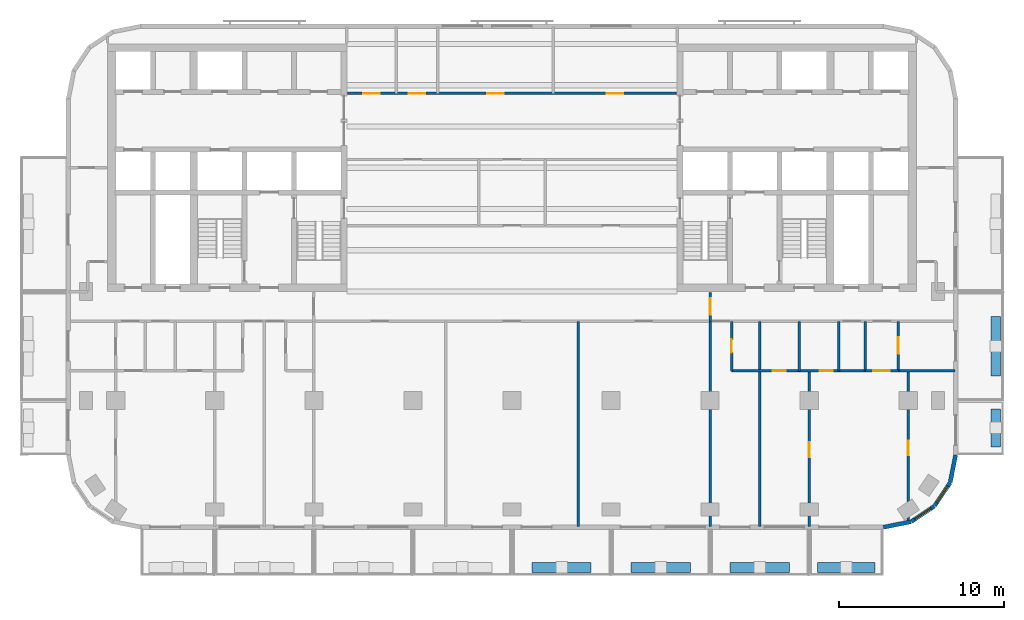
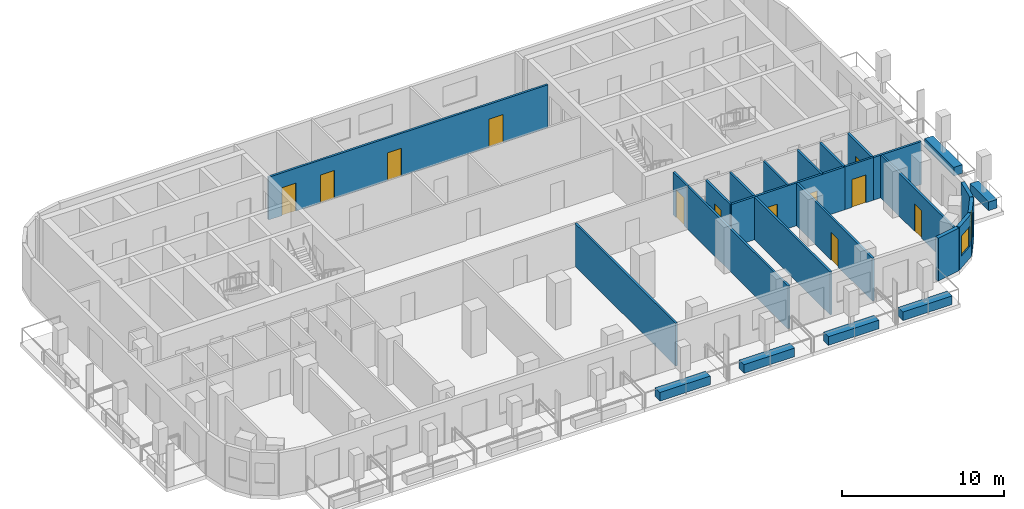
# One storey, part 5 of 11: 25 walls, 12 doors, 2 windows, 14 openings.
"""IFC4 building model written with IfcOpenShell, lengths in metres."""

from ifc_helpers import new_model, si_unit, direction, frame, frame_2d, origin, place, context, subcontext, project, spatial, rectangle, extrude, material, layer, layer_set, type_object, element, fill, save


model = new_model("IFC4")

# Units and contexts
model_context = context("Model", 3, precision=1e-05, world=origin(), true_north=direction((0.0, 1.0)))
body_context = subcontext(model_context, "Body", "Model", "MODEL_VIEW")
ifc_project = project(units=[si_unit("LENGTHUNIT", "METRE"), si_unit("AREAUNIT", "SQUARE_METRE"), si_unit("VOLUMEUNIT", "CUBIC_METRE"), si_unit("PLANEANGLEUNIT", "RADIAN"), si_unit("MASSUNIT", "GRAM", prefix="KILO")], contexts=[model_context])

# Site, building, storey
site_placement = place(None, origin())
site = spatial("IfcSite", under=ifc_project, at=site_placement, CompositionType="ELEMENT")
building_placement = place(site_placement, origin())
building = spatial("IfcBuilding", under=site, at=building_placement, Name="Torana Hotel and Residences", CompositionType="ELEMENT")
storey_placement = place(building_placement, frame((0.0, 0.0, 187.10009765625)))
storey = spatial("IfcBuildingStorey", under=building, at=storey_placement, Name="L48", CompositionType="ELEMENT", Elevation=187.10009765625)

# Wall
ifc_material_1 = material(Name="Black aluminium composite panel", Category="aluminium")
ifc_layer_1 = layer(ifc_material_1, 0.00390625, Name="Cladding", Category="cladding")
ifc_material_2 = material(Name="Ventilated air cavity")
ifc_layer_2 = layer(ifc_material_2, 0.0400390625, Name="Ventilated cavity", Category="cavity")
ifc_material_3 = material(Name="Mineral wool insulation")
ifc_layer_3 = layer(ifc_material_3, 0.090087890625, Name="Insulation", Category="insulation")
ifc_material_4 = material(Name="Steel S280GD", Category="steel")
ifc_layer_4 = layer(ifc_material_4, 0.092041015625, Name="Steel stud frame", Category="structure")
ifc_material_5 = material(Name="Fire rated plasterboard")
ifc_layer_5 = layer(ifc_material_5, 0.011962890625, Name="Inner board", Category="finish")
ifc_layer_6 = layer(ifc_material_5, 0.011962890625, Name="Second board", Category="finish")
ifc_layer_set_1 = layer_set([ifc_layer_1, ifc_layer_2, ifc_layer_3, ifc_layer_4, ifc_layer_5, ifc_layer_6], Name="EW1 EXTERNAL WALL BLACK METAL CLAD 250")
wall_type_1 = type_object("IfcWallType", Name="EW1 EXTERNAL WALL BLACK METAL CLAD 250", PredefinedType="SOLIDWALL", material=ifc_layer_set_1)
wall_1_placement = place(storey_placement, frame((22.499755859375, -29.272705078125, 0.0), z_axis=(0.0, 0.0, 1.0), x_axis=(0.980775640221, 0.19513878023, 0.0)))
element("IfcWall", 1, at=wall_1_placement, inside=storey, type_object=wall_type_1, Name="External wall L48 e0.15", PredefinedType="SOLIDWALL", context=body_context, shape_type="SweptSolid", body=[
    extrude(rectangle(XDim=1.681396484375, YDim=0.25, at=frame_2d((0.8408203125, 0.0))), origin(), (0.0, 0.0, 1.0), 3.219970703125),
])

# Wall, opening, window
wall_2_placement = place(storey_placement, frame((24.194091796875, -28.92578125, 0.0), z_axis=(0.0, 0.0, 1.0), x_axis=(0.831482937015, 0.55555029066, 0.0)))
wall_2 = element("IfcWall", 2, at=wall_2_placement, inside=storey, type_object=wall_type_1, Name="External wall L48 e0.16", PredefinedType="SOLIDWALL", context=body_context, shape_type="SweptSolid", body=[
    extrude(rectangle(XDim=1.65625, YDim=0.25, at=frame_2d((0.828125, 0.0))), origin(), (0.0, 0.0, 1.0), 3.219970703125),
])
opening_1_placement = place(wall_2_placement, frame((0.228271484375, 0.0, 0.89990234375)))
opening_1 = element("IfcOpeningElement", 3, at=opening_1_placement, cuts=wall_2, Name="Opening W5", PredefinedType="OPENING", context=body_context, shape_type="SweptSolid", body=[
    extrude(rectangle(XDim=1.199951171875, YDim=1.5, at=frame_2d((0.60009765625, 0.75))), frame((0.0, 0.135009765625, 0.0), z_axis=(0.0, -1.0, 0.0), x_axis=(1.0, 0.0, 0.0)), (0.0, 0.0, 1.0), 0.27001953125),
])
ifc_material_6 = material(Name="Dark glass in black aluminium frame", Category="aluminium")
window_type = type_object("IfcWindowType", Name="W5 CORNER FACET WINDOW 1200x1500", PartitioningType="SINGLE_PANEL", PredefinedType="WINDOW", material=ifc_material_6)
window_1_placement = place(opening_1_placement, origin())
window_1 = element("IfcWindow", 4, at=window_1_placement, inside=storey, type_object=window_type, Name="Window L48 e0.16", OverallHeight=1.5, OverallWidth=1.199951171875, PartitioningType="SINGLE_PANEL", PredefinedType="WINDOW", context=body_context, shape_type="SweptSolid", body=[
    extrude(rectangle(XDim=1.199951171875, YDim=1.5, at=frame_2d((0.60009765625, 0.75))), frame((0.0, 0.030029296875, 0.0), z_axis=(0.0, -1.0, 0.0), x_axis=(1.0, 0.0, 0.0)), (0.0, 0.0, 1.0), 0.06005859375),
])
fill(opening_1, window_1)

wall_3_placement = place(storey_placement, frame((25.605712890625, -27.97119140625, 0.0), z_axis=(0.0, 0.0, 1.0), x_axis=(0.55555029066, 0.831482937015, 0.0)))
wall_3 = element("IfcWall", 5, at=wall_3_placement, inside=storey, type_object=wall_type_1, Name="External wall L48 e0.17", PredefinedType="SOLIDWALL", context=body_context, shape_type="SweptSolid", body=[
    extrude(rectangle(XDim=1.65625, YDim=0.25, at=frame_2d((0.828125, 0.0))), origin(), (0.0, 0.0, 1.0), 3.219970703125),
])
opening_2_placement = place(wall_3_placement, frame((0.228271484375, 0.0, 0.89990234375)))
opening_2 = element("IfcOpeningElement", 6, at=opening_2_placement, cuts=wall_3, Name="Opening W5", PredefinedType="OPENING", context=body_context, shape_type="SweptSolid", body=[
    extrude(rectangle(XDim=1.199951171875, YDim=1.5, at=frame_2d((0.60009765625, 0.75))), frame((0.0, 0.135009765625, 0.0), z_axis=(0.0, -1.0, 0.0), x_axis=(1.0, 0.0, 0.0)), (0.0, 0.0, 1.0), 0.27001953125),
])
window_2_placement = place(opening_2_placement, origin())
window_2 = element("IfcWindow", 7, at=window_2_placement, inside=storey, type_object=window_type, Name="Window L48 e0.17", OverallHeight=1.5, OverallWidth=1.199951171875, PartitioningType="SINGLE_PANEL", PredefinedType="WINDOW", context=body_context, shape_type="SweptSolid", body=[
    extrude(rectangle(XDim=1.199951171875, YDim=1.5, at=frame_2d((0.60009765625, 0.75))), frame((0.0, 0.030029296875, 0.0), z_axis=(0.0, -1.0, 0.0), x_axis=(1.0, 0.0, 0.0)), (0.0, 0.0, 1.0), 0.06005859375),
])
fill(opening_2, window_2)

# Wall
wall_4_placement = place(storey_placement, frame((26.544677734375, -26.548828125, 0.0), z_axis=(0.0, 0.0, 1.0), x_axis=(0.195026884138, 0.980797896849, 0.0)))
element("IfcWall", 8, at=wall_4_placement, inside=storey, type_object=wall_type_1, Name="External wall L48 e0.18", PredefinedType="SOLIDWALL", context=body_context, shape_type="SweptSolid", body=[
    extrude(rectangle(XDim=1.68115234375, YDim=0.25, at=frame_2d((0.840576171875, 0.0))), origin(), (0.0, 0.0, 1.0), 3.219970703125),
])

# Wall, opening, door
ifc_material_7 = material(Name="Gypsum plaster")
ifc_layer_7 = layer(ifc_material_7, 0.014892578125, Name="Plaster", Category="finish")
ifc_material_8 = material(Name="Concrete blockwork", Category="masonry")
ifc_layer_8 = layer(ifc_material_8, 0.1201171875, Name="Blockwork", Category="structure")
ifc_layer_9 = layer(ifc_material_7, 0.014892578125, Name="Plaster", Category="finish")
ifc_layer_set_2 = layer_set([ifc_layer_7, ifc_layer_8, ifc_layer_9], Name="FIRE PARTITION 150 BLOCKWORK")
wall_type_2 = type_object("IfcWallType", Name="FIRE PARTITION 150 BLOCKWORK", PredefinedType="PARTITIONING", material=ifc_layer_set_2)
wall_5_placement = place(storey_placement, frame((23.39990234375, -19.800048828125, 0.0), z_axis=(0.0, 0.0, 1.0), x_axis=(0.0, 1.0, 0.0)))
wall_5 = element("IfcWall", 9, at=wall_5_placement, inside=storey, type_object=wall_type_2, Name="Partition L48", PredefinedType="PARTITIONING", context=body_context, shape_type="SweptSolid", body=[
    extrude(rectangle(XDim=3.0, YDim=0.14990234375, at=frame_2d((1.5, 0.0))), origin(), (0.0, 0.0, 1.0), 3.219970703125),
])
opening_3_placement = place(wall_5_placement, frame((1.02001953125, 0.0, 0.0)))
opening_3 = element("IfcOpeningElement", 10, at=opening_3_placement, cuts=wall_5, Name="Opening L48-58", PredefinedType="OPENING", context=body_context, shape_type="SweptSolid", body=[
    extrude(rectangle(XDim=1.0, YDim=2.10009765625, at=frame_2d((0.5, 1.050048828125))), frame((0.0, 0.0849609375, 0.0), z_axis=(0.0, -1.0, 0.0), x_axis=(1.0, 0.0, 0.0)), (0.0, 0.0, 1.0), 0.169921875),
])
ifc_material_9 = material(Name="Steel S235", Category="steel")
door_type_1 = type_object("IfcDoorType", Name="ENTRY FIRE DOOR D6 1000x2100", OperationType="SINGLE_SWING_LEFT", PredefinedType="DOOR", material=ifc_material_9)
door_1_placement = place(opening_3_placement, frame((0.5, 0.0, 0.0), z_axis=(0.0, 0.0, 1.0), x_axis=(-1.0, 0.0, 0.0)))
door_1 = element("IfcDoor", 11, at=door_1_placement, inside=storey, type_object=door_type_1, Name="Door L48", OperationType="SINGLE_SWING_LEFT", OverallHeight=2.10009765625, OverallWidth=1.0, PredefinedType="DOOR", context=body_context, shape_type="SweptSolid", body=[
    extrude(rectangle(XDim=1.0, YDim=2.10009765625, at=frame_2d((0.0, 1.050048828125))), frame((0.0, -0.02490234375, 0.0), z_axis=(0.0, 1.0, 0.0), x_axis=(-1.0, 0.0, 0.0)), (0.0, 0.0, 1.0), 0.050048828125),
])
fill(opening_3, door_1)

# Wall
wall_6_placement = place(storey_placement, frame((21.39990234375, -19.800048828125, 0.0), z_axis=(0.0, 0.0, 1.0), x_axis=(0.0, 1.0, 0.0)))
element("IfcWall", 12, at=wall_6_placement, inside=storey, type_object=wall_type_2, Name="Partition L48", PredefinedType="PARTITIONING", context=body_context, shape_type="SweptSolid", body=[
    extrude(rectangle(XDim=3.0, YDim=0.14990234375, at=frame_2d((1.5, 0.0))), origin(), (0.0, 0.0, 1.0), 3.219970703125),
])

# Wall, opening, door
wall_7_placement = place(storey_placement, frame((12.0, -16.800048828125, 0.0), z_axis=(0.0, 0.0, 1.0), x_axis=(0.0, 1.0, 0.0)))
wall_7 = element("IfcWall", 13, at=wall_7_placement, inside=storey, type_object=wall_type_2, Name="Partition L48", PredefinedType="PARTITIONING", context=body_context, shape_type="SweptSolid", body=[
    extrude(rectangle(XDim=1.75, YDim=0.14990234375, at=frame_2d((0.875, 0.0))), origin(), (0.0, 0.0, 1.0), 3.219970703125),
])
opening_4_placement = place(wall_7_placement, frame((0.39990234375, 0.0, 0.0)))
opening_4 = element("IfcOpeningElement", 14, at=opening_4_placement, cuts=wall_7, Name="Opening L48-33", PredefinedType="OPENING", context=body_context, shape_type="SweptSolid", body=[
    extrude(rectangle(XDim=1.0, YDim=2.10009765625, at=frame_2d((0.5, 1.050048828125))), frame((0.0, 0.0849609375, 0.0), z_axis=(0.0, -1.0, 0.0), x_axis=(1.0, 0.0, 0.0)), (0.0, 0.0, 1.0), 0.169921875),
])
door_2_placement = place(opening_4_placement, origin())
door_2 = element("IfcDoor", 15, at=door_2_placement, inside=storey, type_object=door_type_1, Name="Door L48", OperationType="SINGLE_SWING_RIGHT", OverallHeight=2.10009765625, OverallWidth=1.0, PredefinedType="DOOR", context=body_context, shape_type="SweptSolid", body=[
    extrude(rectangle(XDim=1.0, YDim=2.10009765625, at=frame_2d((0.5, 1.050048828125))), frame((0.0, 0.02490234375, 0.0), z_axis=(0.0, -1.0, 0.0), x_axis=(1.0, 0.0, 0.0)), (0.0, 0.0, 1.0), 0.050048828125),
])
fill(opening_4, door_2)

wall_8_placement = place(storey_placement, frame((21.39990234375, -19.800048828125, 0.0), z_axis=(0.0, 0.0, 1.0), x_axis=(1.0, 0.0, 0.0)))
wall_8 = element("IfcWall", 16, at=wall_8_placement, inside=storey, type_object=wall_type_2, Name="Partition L48", PredefinedType="PARTITIONING", context=body_context, shape_type="SweptSolid", body=[
    extrude(rectangle(XDim=2.0, YDim=0.14990234375, at=frame_2d((1.0, 0.0))), origin(), (0.0, 0.0, 1.0), 3.219970703125),
])
opening_5_placement = place(wall_8_placement, frame((0.47998046875, 0.0, 0.0)))
opening_5 = element("IfcOpeningElement", 17, at=opening_5_placement, cuts=wall_8, Name="Opening L48-59", PredefinedType="OPENING", context=body_context, shape_type="SweptSolid", body=[
    extrude(rectangle(XDim=1.0, YDim=2.10009765625, at=frame_2d((0.5, 1.050048828125))), frame((0.0, 0.0849609375, 0.0), z_axis=(0.0, -1.0, 0.0), x_axis=(1.0, 0.0, 0.0)), (0.0, 0.0, 1.0), 0.169921875),
])
door_3_placement = place(opening_5_placement, frame((0.5, 0.0, 0.0), z_axis=(0.0, 0.0, 1.0), x_axis=(-1.0, 0.0, 0.0)))
door_3 = element("IfcDoor", 18, at=door_3_placement, inside=storey, type_object=door_type_1, Name="Door L48", OperationType="SINGLE_SWING_RIGHT", OverallHeight=2.10009765625, OverallWidth=1.0, PredefinedType="DOOR", context=body_context, shape_type="SweptSolid", body=[
    extrude(rectangle(XDim=1.0, YDim=2.10009765625, at=frame_2d((0.0, 1.050048828125))), frame((0.0, -0.02490234375, 0.0), z_axis=(0.0, 1.0, 0.0), x_axis=(-1.0, 0.0, 0.0)), (0.0, 0.0, 1.0), 0.050048828125),
])
fill(opening_5, door_3)

# Wall, openings, doors
wall_9_placement = place(storey_placement, frame((-9.949951171875, -3.0, 0.0), z_axis=(0.0, 0.0, 1.0), x_axis=(1.0, 0.0, 0.0)))
wall_9 = element("IfcWall", 19, at=wall_9_placement, inside=storey, type_object=wall_type_2, Name="Partition L48", PredefinedType="PARTITIONING", context=body_context, shape_type="SweptSolid", body=[
    extrude(rectangle(XDim=19.89990234375, YDim=0.14990234375, at=frame_2d((9.949951171875, 0.0))), origin(), (0.0, 0.0, 1.0), 3.219970703125),
])
opening_6_placement = place(wall_9_placement, frame((0.949951171875, 0.0, 0.0)))
opening_6 = element("IfcOpeningElement", 20, at=opening_6_placement, cuts=wall_9, Name="Opening L48-45", PredefinedType="OPENING", context=body_context, shape_type="SweptSolid", body=[
    extrude(rectangle(XDim=1.0, YDim=2.10009765625, at=frame_2d((0.5, 1.050048828125))), frame((0.0, 0.0849609375, 0.0), z_axis=(0.0, -1.0, 0.0), x_axis=(1.0, 0.0, 0.0)), (0.0, 0.0, 1.0), 0.169921875),
])
opening_7_placement = place(wall_9_placement, frame((3.699951171875, 0.0, 0.0)))
opening_7 = element("IfcOpeningElement", 21, at=opening_7_placement, cuts=wall_9, Name="Opening L48-46", PredefinedType="OPENING", context=body_context, shape_type="SweptSolid", body=[
    extrude(rectangle(XDim=1.0, YDim=2.10009765625, at=frame_2d((0.5, 1.050048828125))), frame((0.0, 0.0849609375, 0.0), z_axis=(0.0, -1.0, 0.0), x_axis=(1.0, 0.0, 0.0)), (0.0, 0.0, 1.0), 0.169921875),
])
opening_8_placement = place(wall_9_placement, frame((8.449951171875, 0.0, 0.0)))
opening_8 = element("IfcOpeningElement", 22, at=opening_8_placement, cuts=wall_9, Name="Opening L48-47", PredefinedType="OPENING", context=body_context, shape_type="SweptSolid", body=[
    extrude(rectangle(XDim=1.0, YDim=2.10009765625, at=frame_2d((0.5, 1.050048828125))), frame((0.0, 0.0849609375, 0.0), z_axis=(0.0, -1.0, 0.0), x_axis=(1.0, 0.0, 0.0)), (0.0, 0.0, 1.0), 0.169921875),
])
opening_9_placement = place(wall_9_placement, frame((15.699951171875, 0.0, 0.0)))
opening_9 = element("IfcOpeningElement", 23, at=opening_9_placement, cuts=wall_9, Name="Opening L48-48", PredefinedType="OPENING", context=body_context, shape_type="SweptSolid", body=[
    extrude(rectangle(XDim=1.0, YDim=2.10009765625, at=frame_2d((0.5, 1.050048828125))), frame((0.0, 0.0849609375, 0.0), z_axis=(0.0, -1.0, 0.0), x_axis=(1.0, 0.0, 0.0)), (0.0, 0.0, 1.0), 0.169921875),
])
door_4_placement = place(opening_6_placement, origin())
door_4 = element("IfcDoor", 24, at=door_4_placement, inside=storey, type_object=door_type_1, Name="Door L48", OperationType="SINGLE_SWING_RIGHT", OverallHeight=2.10009765625, OverallWidth=1.0, PredefinedType="DOOR", context=body_context, shape_type="SweptSolid", body=[
    extrude(rectangle(XDim=1.0, YDim=2.10009765625, at=frame_2d((0.5, 1.050048828125))), frame((0.0, 0.02490234375, 0.0), z_axis=(0.0, -1.0, 0.0), x_axis=(1.0, 0.0, 0.0)), (0.0, 0.0, 1.0), 0.050048828125),
])
fill(opening_6, door_4)
door_5_placement = place(opening_7_placement, origin())
door_5 = element("IfcDoor", 25, at=door_5_placement, inside=storey, type_object=door_type_1, Name="Door L48", OperationType="SINGLE_SWING_RIGHT", OverallHeight=2.10009765625, OverallWidth=1.0, PredefinedType="DOOR", context=body_context, shape_type="SweptSolid", body=[
    extrude(rectangle(XDim=1.0, YDim=2.10009765625, at=frame_2d((0.5, 1.050048828125))), frame((0.0, 0.02490234375, 0.0), z_axis=(0.0, -1.0, 0.0), x_axis=(1.0, 0.0, 0.0)), (0.0, 0.0, 1.0), 0.050048828125),
])
fill(opening_7, door_5)
door_6_placement = place(opening_8_placement, origin())
door_6 = element("IfcDoor", 26, at=door_6_placement, inside=storey, type_object=door_type_1, Name="Door L48", OperationType="SINGLE_SWING_RIGHT", OverallHeight=2.10009765625, OverallWidth=1.0, PredefinedType="DOOR", context=body_context, shape_type="SweptSolid", body=[
    extrude(rectangle(XDim=1.0, YDim=2.10009765625, at=frame_2d((0.5, 1.050048828125))), frame((0.0, 0.02490234375, 0.0), z_axis=(0.0, -1.0, 0.0), x_axis=(1.0, 0.0, 0.0)), (0.0, 0.0, 1.0), 0.050048828125),
])
fill(opening_8, door_6)
door_7_placement = place(opening_9_placement, origin())
door_7 = element("IfcDoor", 27, at=door_7_placement, inside=storey, type_object=door_type_1, Name="Door L48", OperationType="SINGLE_SWING_RIGHT", OverallHeight=2.10009765625, OverallWidth=1.0, PredefinedType="DOOR", context=body_context, shape_type="SweptSolid", body=[
    extrude(rectangle(XDim=1.0, YDim=2.10009765625, at=frame_2d((0.5, 1.050048828125))), frame((0.0, 0.02490234375, 0.0), z_axis=(0.0, -1.0, 0.0), x_axis=(1.0, 0.0, 0.0)), (0.0, 0.0, 1.0), 0.050048828125),
])
fill(opening_9, door_7)

# Wall, opening, door
ifc_material_10 = material(Name="Gypsum plasterboard")
ifc_layer_10 = layer(ifc_material_10, 0.012451171875, Name="Plasterboard", Category="finish")
ifc_layer_11 = layer(ifc_material_10, 0.012451171875, Name="Plasterboard", Category="finish")
ifc_layer_12 = layer(ifc_material_4, 0.10009765625, Name="Steel studs with mineral wool", Category="insulation")
ifc_layer_13 = layer(ifc_material_10, 0.012451171875, Name="Plasterboard", Category="finish")
ifc_layer_14 = layer(ifc_material_10, 0.012451171875, Name="Plasterboard", Category="finish")
ifc_layer_set_3 = layer_set([ifc_layer_10, ifc_layer_11, ifc_layer_12, ifc_layer_13, ifc_layer_14], Name="PARTITION 150 PLASTERBOARD")
wall_type_3 = type_object("IfcWallType", Name="PARTITION 150 PLASTERBOARD", PredefinedType="PARTITIONING", material=ifc_layer_set_3)
wall_10_placement = place(storey_placement, frame((24.0, -28.918212890625, 0.0), z_axis=(0.0, 0.0, 1.0), x_axis=(0.0, 1.0, 0.0)))
wall_10 = element("IfcWall", 28, at=wall_10_placement, inside=storey, type_object=wall_type_3, Name="Partition L48", PredefinedType="PARTITIONING", context=body_context, shape_type="SweptSolid", body=[
    extrude(rectangle(XDim=9.1181640625, YDim=0.14990234375, at=frame_2d((4.55908203125, 0.0))), origin(), (0.0, 0.0, 1.0), 3.219970703125),
])
opening_10_placement = place(wall_10_placement, frame((3.998046875, 0.0, 0.0)))
opening_10 = element("IfcOpeningElement", 29, at=opening_10_placement, cuts=wall_10, Name="Opening L48-61", PredefinedType="OPENING", context=body_context, shape_type="SweptSolid", body=[
    extrude(rectangle(XDim=0.89990234375, YDim=2.10009765625, at=frame_2d((0.449951171875, 1.050048828125))), frame((0.0, 0.0849609375, 0.0), z_axis=(0.0, -1.0, 0.0), x_axis=(1.0, 0.0, 0.0)), (0.0, 0.0, 1.0), 0.169921875),
])
ifc_material_11 = material(Name="Timber door, oiled ash", Category="wood")
door_type_2 = type_object("IfcDoorType", Name="ROOM DOOR D7 900x2100", OperationType="SINGLE_SWING_LEFT", PredefinedType="DOOR", material=ifc_material_11)
door_8_placement = place(opening_10_placement, origin())
door_8 = element("IfcDoor", 30, at=door_8_placement, inside=storey, type_object=door_type_2, Name="Door L48", OperationType="SINGLE_SWING_RIGHT", OverallHeight=2.10009765625, OverallWidth=0.89990234375, PredefinedType="DOOR", context=body_context, shape_type="SweptSolid", body=[
    extrude(rectangle(XDim=0.89990234375, YDim=2.10009765625, at=frame_2d((0.449951171875, 1.050048828125))), frame((0.0, 0.02490234375, 0.0), z_axis=(0.0, -1.0, 0.0), x_axis=(1.0, 0.0, 0.0)), (0.0, 0.0, 1.0), 0.050048828125),
])
fill(opening_10, door_8)

# Wall
wall_11_placement = place(storey_placement, frame((19.800048828125, -19.800048828125, 0.0), z_axis=(0.0, 0.0, 1.0), x_axis=(0.0, 1.0, 0.0)))
element("IfcWall", 31, at=wall_11_placement, inside=storey, type_object=wall_type_3, Name="Partition L48", PredefinedType="PARTITIONING", context=body_context, shape_type="SweptSolid", body=[
    extrude(rectangle(XDim=3.0, YDim=0.14990234375, at=frame_2d((1.5, 0.0))), origin(), (0.0, 0.0, 1.0), 3.219970703125),
])

# Wall, opening, door
wall_12_placement = place(storey_placement, frame((18.0, -29.219970703125, 0.0), z_axis=(0.0, 0.0, 1.0), x_axis=(0.0, 1.0, 0.0)))
wall_12 = element("IfcWall", 32, at=wall_12_placement, inside=storey, type_object=wall_type_3, Name="Partition L48", PredefinedType="PARTITIONING", context=body_context, shape_type="SweptSolid", body=[
    extrude(rectangle(XDim=9.419921875, YDim=0.14990234375, at=frame_2d((4.7099609375, 0.0))), origin(), (0.0, 0.0, 1.0), 3.219970703125),
])
opening_11_placement = place(wall_12_placement, frame((4.18994140625, 0.0, 0.0)))
opening_11 = element("IfcOpeningElement", 33, at=opening_11_placement, cuts=wall_12, Name="Opening L48-60", PredefinedType="OPENING", context=body_context, shape_type="SweptSolid", body=[
    extrude(rectangle(XDim=0.89990234375, YDim=2.10009765625, at=frame_2d((0.449951171875, 1.050048828125))), frame((0.0, 0.0849609375, 0.0), z_axis=(0.0, -1.0, 0.0), x_axis=(1.0, 0.0, 0.0)), (0.0, 0.0, 1.0), 0.169921875),
])
door_9_placement = place(opening_11_placement, origin())
door_9 = element("IfcDoor", 34, at=door_9_placement, inside=storey, type_object=door_type_2, Name="Door L48", OperationType="SINGLE_SWING_RIGHT", OverallHeight=2.10009765625, OverallWidth=0.89990234375, PredefinedType="DOOR", context=body_context, shape_type="SweptSolid", body=[
    extrude(rectangle(XDim=0.89990234375, YDim=2.10009765625, at=frame_2d((0.449951171875, 1.050048828125))), frame((0.0, 0.02490234375, 0.0), z_axis=(0.0, -1.0, 0.0), x_axis=(1.0, 0.0, 0.0)), (0.0, 0.0, 1.0), 0.050048828125),
])
fill(opening_11, door_9)

# Walls
wall_13_placement = place(storey_placement, frame((17.39990234375, -19.800048828125, 0.0), z_axis=(0.0, 0.0, 1.0), x_axis=(0.0, 1.0, 0.0)))
element("IfcWall", 35, at=wall_13_placement, inside=storey, type_object=wall_type_3, Name="Partition L48", PredefinedType="PARTITIONING", context=body_context, shape_type="SweptSolid", body=[
    extrude(rectangle(XDim=3.0, YDim=0.14990234375, at=frame_2d((1.5, 0.0))), origin(), (0.0, 0.0, 1.0), 3.219970703125),
])
wall_14_placement = place(storey_placement, frame((15.0, -29.219970703125, 0.0), z_axis=(0.0, 0.0, 1.0), x_axis=(0.0, 1.0, 0.0)))
element("IfcWall", 36, at=wall_14_placement, inside=storey, type_object=wall_type_3, Name="Partition L48", PredefinedType="PARTITIONING", context=body_context, shape_type="SweptSolid", body=[
    extrude(rectangle(XDim=12.419921875, YDim=0.14990234375, at=frame_2d((6.2099609375, 0.0))), origin(), (0.0, 0.0, 1.0), 3.219970703125),
])

# Wall, opening, door
wall_15_placement = place(storey_placement, frame((13.300048828125, -19.800048828125, 0.0), z_axis=(0.0, 0.0, 1.0), x_axis=(0.0, 1.0, 0.0)))
wall_15 = element("IfcWall", 37, at=wall_15_placement, inside=storey, type_object=wall_type_3, Name="Partition L48", PredefinedType="PARTITIONING", context=body_context, shape_type="SweptSolid", body=[
    extrude(rectangle(XDim=3.0, YDim=0.14990234375, at=frame_2d((1.5, 0.0))), origin(), (0.0, 0.0, 1.0), 3.219970703125),
])
opening_12_placement = place(wall_15_placement, frame((1.10009765625, 0.0, 0.0)))
opening_12 = element("IfcOpeningElement", 38, at=opening_12_placement, cuts=wall_15, Name="Opening L48-51", PredefinedType="OPENING", context=body_context, shape_type="SweptSolid", body=[
    extrude(rectangle(XDim=0.800048828125, YDim=2.10009765625, at=frame_2d((0.39990234375, 1.050048828125))), frame((0.0, 0.0849609375, 0.0), z_axis=(0.0, -1.0, 0.0), x_axis=(1.0, 0.0, 0.0)), (0.0, 0.0, 1.0), 0.169921875),
])
ifc_material_12 = material(Name="Timber door, painted", Category="wood")
door_type_3 = type_object("IfcDoorType", Name="BATH DOOR D13 800x2100", OperationType="SINGLE_SWING_LEFT", PredefinedType="DOOR", material=ifc_material_12)
door_10_placement = place(opening_12_placement, origin())
door_10 = element("IfcDoor", 39, at=door_10_placement, inside=storey, type_object=door_type_3, Name="Door L48", OperationType="SINGLE_SWING_LEFT", OverallHeight=2.10009765625, OverallWidth=0.800048828125, PredefinedType="DOOR", context=body_context, shape_type="SweptSolid", body=[
    extrude(rectangle(XDim=0.800048828125, YDim=2.10009765625, at=frame_2d((0.39990234375, 1.050048828125))), frame((0.0, 0.02490234375, 0.0), z_axis=(0.0, -1.0, 0.0), x_axis=(1.0, 0.0, 0.0)), (0.0, 0.0, 1.0), 0.050048828125),
])
fill(opening_12, door_10)

# Walls
for number, where, z_axis, x_axis, name in (
    (40, (12.0, -29.219970703125, 0.0), (0.0, 0.0, 1.0), (0.0, 1.0, 0.0), "Partition L48"),
    (41, (4.0, -29.219970703125, 0.0), (0.0, 0.0, 1.0), (0.0, 1.0, 0.0), "Partition L48"),
):
    element("IfcWall", number, at=place(storey_placement, frame(where, z_axis=z_axis, x_axis=x_axis)), inside=storey, type_object=wall_type_3, Name=name, PredefinedType="PARTITIONING", context=body_context, shape_type="SweptSolid", body=[
        extrude(rectangle(XDim=12.419921875, YDim=0.14990234375, at=frame_2d((6.2099609375, 0.0))), origin(), (0.0, 0.0, 1.0), 3.219970703125),
    ])

# Wall, openings, doors
wall_16_placement = place(storey_placement, frame((13.300048828125, -19.800048828125, 0.0), z_axis=(0.0, 0.0, 1.0), x_axis=(1.0, 0.0, 0.0)))
wall_16 = element("IfcWall", 42, at=wall_16_placement, inside=storey, type_object=wall_type_3, Name="Partition L48", PredefinedType="PARTITIONING", context=body_context, shape_type="SweptSolid", body=[
    extrude(rectangle(XDim=8.099853515625, YDim=0.14990234375, at=frame_2d((4.0498046875, 0.0))), origin(), (0.0, 0.0, 1.0), 3.219970703125),
])
opening_13_placement = place(wall_16_placement, frame((2.47998046875, 0.0, 0.0)))
opening_13 = element("IfcOpeningElement", 43, at=opening_13_placement, cuts=wall_16, Name="Opening L48-56", PredefinedType="OPENING", context=body_context, shape_type="SweptSolid", body=[
    extrude(rectangle(XDim=0.800048828125, YDim=2.10009765625, at=frame_2d((0.39990234375, 1.050048828125))), frame((0.0, 0.0849609375, 0.0), z_axis=(0.0, -1.0, 0.0), x_axis=(1.0, 0.0, 0.0)), (0.0, 0.0, 1.0), 0.169921875),
])
opening_14_placement = place(wall_16_placement, frame((5.330078125, 0.0, 0.0)))
opening_14 = element("IfcOpeningElement", 44, at=opening_14_placement, cuts=wall_16, Name="Opening L48-57", PredefinedType="OPENING", context=body_context, shape_type="SweptSolid", body=[
    extrude(rectangle(XDim=0.800048828125, YDim=2.10009765625, at=frame_2d((0.39990234375, 1.050048828125))), frame((0.0, 0.0849609375, 0.0), z_axis=(0.0, -1.0, 0.0), x_axis=(1.0, 0.0, 0.0)), (0.0, 0.0, 1.0), 0.169921875),
])
door_11_placement = place(opening_13_placement, origin())
door_11 = element("IfcDoor", 45, at=door_11_placement, inside=storey, type_object=door_type_3, Name="Door L48", OperationType="SINGLE_SWING_RIGHT", OverallHeight=2.10009765625, OverallWidth=0.800048828125, PredefinedType="DOOR", context=body_context, shape_type="SweptSolid", body=[
    extrude(rectangle(XDim=0.800048828125, YDim=2.10009765625, at=frame_2d((0.39990234375, 1.050048828125))), frame((0.0, 0.02490234375, 0.0), z_axis=(0.0, -1.0, 0.0), x_axis=(1.0, 0.0, 0.0)), (0.0, 0.0, 1.0), 0.050048828125),
])
fill(opening_13, door_11)
door_12_placement = place(opening_14_placement, origin())
door_12 = element("IfcDoor", 46, at=door_12_placement, inside=storey, type_object=door_type_3, Name="Door L48", OperationType="SINGLE_SWING_LEFT", OverallHeight=2.10009765625, OverallWidth=0.800048828125, PredefinedType="DOOR", context=body_context, shape_type="SweptSolid", body=[
    extrude(rectangle(XDim=0.800048828125, YDim=2.10009765625, at=frame_2d((0.39990234375, 1.050048828125))), frame((0.0, 0.02490234375, 0.0), z_axis=(0.0, -1.0, 0.0), x_axis=(1.0, 0.0, 0.0)), (0.0, 0.0, 1.0), 0.050048828125),
])
fill(opening_14, door_12)

# Walls
wall_17_placement = place(storey_placement, frame((23.39990234375, -19.800048828125, 0.0), z_axis=(0.0, 0.0, 1.0), x_axis=(1.0, 0.0, 0.0)))
element("IfcWall", 47, at=wall_17_placement, inside=storey, type_object=wall_type_3, Name="Partition L48", PredefinedType="PARTITIONING", context=body_context, shape_type="SweptSolid", body=[
    extrude(rectangle(XDim=3.420166015625, YDim=0.14990234375, at=frame_2d((1.7099609375, 0.0))), origin(), (0.0, 0.0, 1.0), 3.219970703125),
])
ifc_material_13 = material(Name="Concrete C40/50 precast", Category="concrete")
ifc_layer_15 = layer(ifc_material_13, 0.10009765625, Name="Planter shell", Category="structure")
ifc_material_14 = material(Name="Root resistant membrane")
ifc_layer_16 = layer(ifc_material_14, 0.00390625, Name="Waterproofing membrane", Category="membrane")
ifc_material_15 = material(Name="Drainage board with filter fleece")
ifc_layer_17 = layer(ifc_material_15, 0.02001953125, Name="Drainage board", Category="drainage")
ifc_material_16 = material(Name="Growing medium")
ifc_layer_18 = layer(ifc_material_16, 0.47607421875, Name="Planting substrate", Category="soil")
ifc_layer_set_4 = layer_set([ifc_layer_15, ifc_layer_16, ifc_layer_17, ifc_layer_18], Name="PL1 BALCONY PLANTER 600")
wall_type_4 = type_object("IfcWallType", Name="PL1 BALCONY PLANTER 600", PredefinedType="USERDEFINED", material=ifc_layer_set_4)
for number, where, z_axis, x_axis, name in (
    (48, (4.800048828125, -31.699951171875, 0.0), (0.0, 0.0, 1.0), (-1.0, 0.0, 0.0), "Planter 05"),
    (49, (10.800048828125, -31.699951171875, 0.0), (0.0, 0.0, 1.0), (-1.0, 0.0, 0.0), "Planter 06"),
    (50, (16.800048828125, -31.699951171875, 0.0), (0.0, 0.0, 1.0), (-1.0, 0.0, 0.0), "Planter 07"),
):
    element("IfcWall", number, at=place(storey_placement, frame(where, z_axis=z_axis, x_axis=x_axis)), inside=storey, type_object=wall_type_4, Name=name, ObjectType="PLANTER", PredefinedType="USERDEFINED", context=body_context, shape_type="SweptSolid", body=[
        extrude(rectangle(XDim=3.60009765625, YDim=0.60009765625, at=frame_2d((1.800048828125, 0.0))), origin(), (0.0, 0.0, 1.0), 0.64990234375),
    ])
wall_18_placement = place(storey_placement, frame((22.0, -31.699951171875, 0.0), z_axis=(0.0, 0.0, 1.0), x_axis=(-1.0, 0.0, 0.0)))
element("IfcWall", 51, at=wall_18_placement, inside=storey, type_object=wall_type_4, Name="Planter 08", ObjectType="PLANTER", PredefinedType="USERDEFINED", context=body_context, shape_type="SweptSolid", body=[
    extrude(rectangle(XDim=3.5, YDim=0.60009765625, at=frame_2d((1.75, 0.0))), origin(), (0.0, 0.0, 1.0), 0.64990234375),
])
wall_19_placement = place(storey_placement, frame((29.300048828125, -22.10009765625, 0.0), z_axis=(0.0, 0.0, 1.0), x_axis=(0.0, -1.0, 0.0)))
element("IfcWall", 52, at=wall_19_placement, inside=storey, type_object=wall_type_4, Name="Planter 12", ObjectType="PLANTER", PredefinedType="USERDEFINED", context=body_context, shape_type="SweptSolid", body=[
    extrude(rectangle(XDim=2.2998046875, YDim=0.60009765625, at=frame_2d((1.14990234375, 0.0))), origin(), (0.0, 0.0, 1.0), 0.64990234375),
])
wall_20_placement = place(storey_placement, frame((29.300048828125, -16.5, 0.0), z_axis=(0.0, 0.0, 1.0), x_axis=(0.0, -1.0, 0.0)))
element("IfcWall", 53, at=wall_20_placement, inside=storey, type_object=wall_type_4, Name="Planter 13", ObjectType="PLANTER", PredefinedType="USERDEFINED", context=body_context, shape_type="SweptSolid", body=[
    extrude(rectangle(XDim=3.60009765625, YDim=0.60009765625, at=frame_2d((1.800048828125, 0.0))), origin(), (0.0, 0.0, 1.0), 0.64990234375),
])

save(model, "model.ifc")
